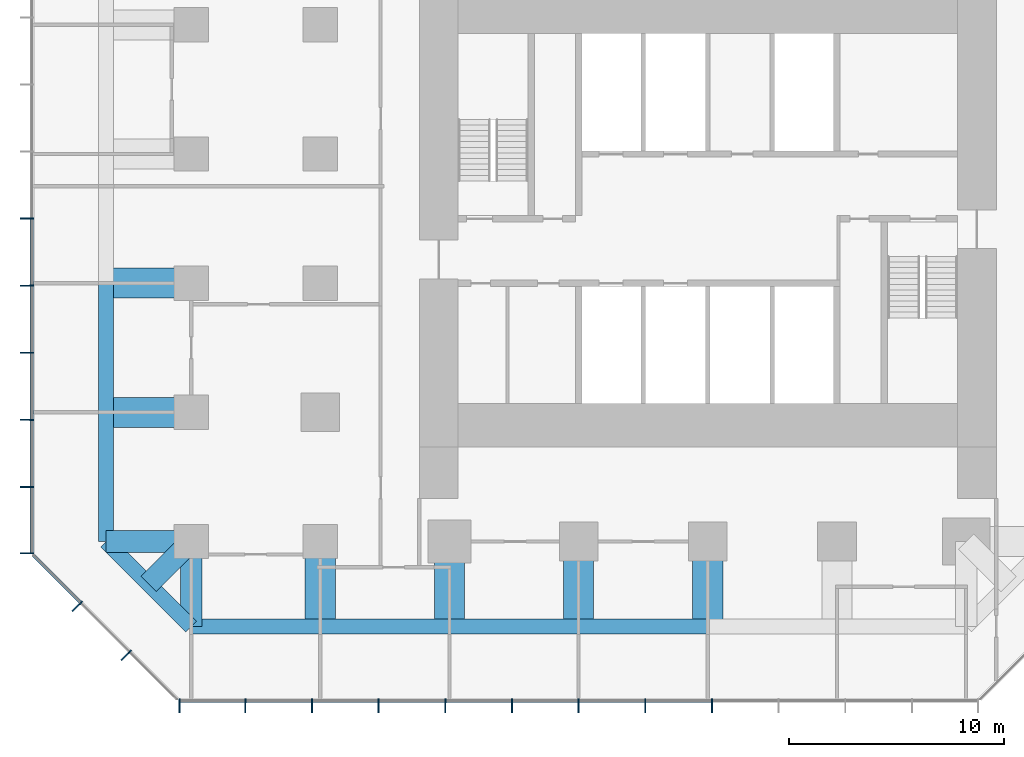
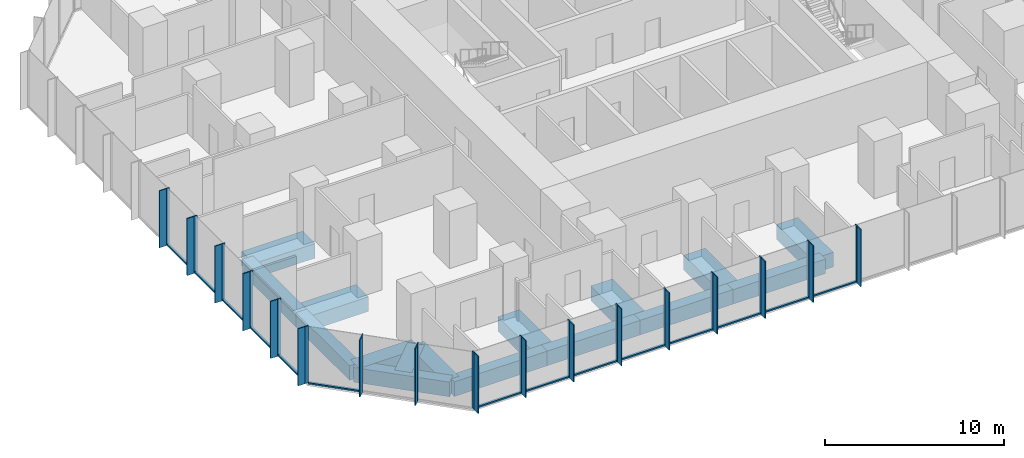
# One storey, part 2 of 11: 48 members, 16 beams, 3 elements without a shape of their own.
"""IFC4 building model written with IfcOpenShell, lengths in metres."""

from ifc_helpers import new_model, si_unit, direction, frame, origin, origin_2d, place, context, subcontext, project, spatial, rectangle, extrude, material, layer, layer_set, material_profile, profile_set, type_object, element, aggregate, save


model = new_model("IFC4")

# Units and contexts
model_context = context("Model", 3, precision=1e-05, world=origin(), true_north=direction((0.0, 1.0)))
body_context = subcontext(model_context, "Body", "Model", "MODEL_VIEW")
ifc_project = project(units=[si_unit("LENGTHUNIT", "METRE"), si_unit("AREAUNIT", "SQUARE_METRE"), si_unit("VOLUMEUNIT", "CUBIC_METRE"), si_unit("PLANEANGLEUNIT", "RADIAN"), si_unit("MASSUNIT", "GRAM", prefix="KILO")], contexts=[model_context])

# Site, building, storey
site_placement = place(None, origin())
site = spatial("IfcSite", under=ifc_project, at=site_placement, CompositionType="ELEMENT")
building_placement = place(site_placement, origin())
building = spatial("IfcBuilding", under=site, at=building_placement, Name="Highveld Stack Headquarters", CompositionType="ELEMENT")
storey_placement = place(building_placement, frame((0.0, 0.0, 125.0)))
storey = spatial("IfcBuildingStorey", under=building, at=storey_placement, Name="L30", CompositionType="ELEMENT", Elevation=125.0)

# Beams
ifc_material_1 = material(Name="Concrete C60/75", Category="concrete")
ifc_material_profile_1 = material_profile(ifc_material_1, rectangle(XDim=1.0, YDim=1.0, at=origin_2d()), Name="RC 1000x1000")
ifc_profile_set_1 = profile_set([ifc_material_profile_1], Name="Concrete C60/75")
beam_type_1 = type_object("IfcBeamType", Name="CANTILEVER RIB RC 1000x1000", PredefinedType="USERDEFINED", material=ifc_profile_set_1)
for number, where, z_axis, x_axis, name in (
    (1, (-18.0, -12.0, -0.75), (-1.0, 0.0, 0.0), (0.0, -1.0, 0.0), "Cantilever rib 3/C L30"),
    (2, (-18.0, -12.0, -0.75), (0.0, -1.0, 0.0), (1.0, 0.0, 0.0), "Cantilever rib 3/C L30"),
):
    element("IfcBeam", number, at=place(storey_placement, frame(where, z_axis=z_axis, x_axis=x_axis)), inside=storey, type_object=beam_type_1, Name=name, ObjectType="CANTILEVER RIB", PredefinedType="USERDEFINED", context=body_context, shape_type="SweptSolid", body=[
        extrude(rectangle(XDim=1.0, YDim=1.0, at=origin_2d()), origin(), (0.0, 0.0, 1.0), 3.949951171875),
    ])
beam_1_placement = place(storey_placement, frame((-18.0, -12.0, -0.75), z_axis=(-0.707106781187, -0.707106781187, 0.0), x_axis=(0.707106781187, -0.707106781187, 0.0)))
element("IfcBeam", 3, at=beam_1_placement, inside=storey, type_object=beam_type_1, Name="Cantilever rib 3/C L30", ObjectType="CANTILEVER RIB", PredefinedType="USERDEFINED", context=body_context, shape_type="SweptSolid", body=[
    extrude(rectangle(XDim=1.0, YDim=1.0, at=origin_2d()), origin(), (0.0, 0.0, 1.0), 2.793212890625),
])
ifc_material_2 = material(Name="Concrete C60/75", Category="concrete")
ifc_material_profile_2 = material_profile(ifc_material_2, rectangle(XDim=1.39990234375, YDim=1.0, at=origin_2d()), Name="RC 1400x1000")
ifc_profile_set_2 = profile_set([ifc_material_profile_2], Name="Concrete C60/75")
beam_type_2 = type_object("IfcBeamType", Name="CANTILEVER RIB RC 1400x1000", PredefinedType="USERDEFINED", material=ifc_profile_set_2)
for number, where, z_axis, x_axis, name in (
    (4, (-18.0, -6.0, -0.75), (-1.0, 0.0, 0.0), (0.0, -1.0, 0.0), "Cantilever rib 3/D L30"),
    (5, (-18.0, 0.0, -0.75), (-1.0, 0.0, 0.0), (0.0, -1.0, 0.0), "Cantilever rib 3/E L30"),
    (6, (-12.0, -12.0, -0.75), (0.0, -1.0, 0.0), (1.0, 0.0, 0.0), "Cantilever rib 4/C L30"),
    (7, (-6.0, -12.0, -0.75), (0.0, -1.0, 0.0), (1.0, 0.0, 0.0), "Cantilever rib 5/C L30"),
    (8, (0.0, -12.0, -0.75), (0.0, -1.0, 0.0), (1.0, 0.0, 0.0), "Cantilever rib 6/C L30"),
    (9, (6.0, -12.0, -0.75), (0.0, -1.0, 0.0), (1.0, 0.0, 0.0), "Cantilever rib 7/C L30"),
):
    element("IfcBeam", number, at=place(storey_placement, frame(where, z_axis=z_axis, x_axis=x_axis)), inside=storey, type_object=beam_type_2, Name=name, ObjectType="CANTILEVER RIB", PredefinedType="USERDEFINED", context=body_context, shape_type="SweptSolid", body=[
        extrude(rectangle(XDim=1.39990234375, YDim=1.0, at=origin_2d()), origin(), (0.0, 0.0, 1.0), 3.949951171875),
    ])

# Curtain wall, members
ifc_material_3 = material(Name="Aluminium bronze anodised", Category="aluminium")
ifc_layer_1 = layer(ifc_material_3, 0.199951171875)
ifc_layer_set_1 = layer_set([ifc_layer_1], Name="Aluminium bronze anodised")
curtain_wall_type_1 = type_object("IfcCurtainWallType", Name="CW1 TOWER UNITISED CURTAIN WALL", PredefinedType="NOTDEFINED", material=ifc_layer_set_1)
curtain_wall_1_placement = place(storey_placement, origin())
curtain_wall_1 = element("IfcCurtainWall", 10, at=curtain_wall_1_placement, inside=storey, type_object=curtain_wall_type_1, Name="Curtain wall CW1 L30 S", PredefinedType="NOTDEFINED")
ifc_material_4 = material(Name="Aluminium bronze anodised", Category="aluminium")
ifc_material_profile_3 = material_profile(ifc_material_4, rectangle(XDim=0.449951171875, YDim=0.06005859375, at=origin_2d()), Name="FIN 450x60")
ifc_profile_set_3 = profile_set([ifc_material_profile_3], Name="Aluminium bronze anodised")
member_type_1 = type_object("IfcMemberType", Name="CW1 BRONZE FIN 450x60", PredefinedType="USERDEFINED", material=ifc_profile_set_3)
member_1_placement = place(storey_placement, frame((-18.54736328125, -19.72509765625, 0.0), z_axis=(0.0, 0.0, 1.0), x_axis=(0.0, 1.0, 0.0)))
member_1 = element("IfcMember", 11, at=member_1_placement, type_object=member_type_1, Name="CW1 fin L30 1", ObjectType="FIN", PredefinedType="USERDEFINED", context=body_context, shape_type="SweptSolid", body=[
    extrude(rectangle(XDim=0.449951171875, YDim=0.06005859375, at=origin_2d()), origin(), (0.0, 0.0, 1.0), 3.89990234375),
])
member_2_placement = place(storey_placement, frame((-15.483154296875, -19.72509765625, 0.0), z_axis=(0.0, 0.0, 1.0), x_axis=(0.0, 1.0, 0.0)))
member_2 = element("IfcMember", 12, at=member_2_placement, type_object=member_type_1, Name="CW1 fin L30 2", ObjectType="FIN", PredefinedType="USERDEFINED", context=body_context, shape_type="SweptSolid", body=[
    extrude(rectangle(XDim=0.449951171875, YDim=0.06005859375, at=origin_2d()), origin(), (0.0, 0.0, 1.0), 3.89990234375),
])
member_3_placement = place(storey_placement, frame((-12.38671875, -19.72509765625, 0.0), z_axis=(0.0, 0.0, 1.0), x_axis=(0.0, 1.0, 0.0)))
member_3 = element("IfcMember", 13, at=member_3_placement, type_object=member_type_1, Name="CW1 fin L30 3", ObjectType="FIN", PredefinedType="USERDEFINED", context=body_context, shape_type="SweptSolid", body=[
    extrude(rectangle(XDim=0.449951171875, YDim=0.06005859375, at=origin_2d()), origin(), (0.0, 0.0, 1.0), 3.89990234375),
])
member_4_placement = place(storey_placement, frame((-9.289794921875, -19.72509765625, 0.0), z_axis=(0.0, 0.0, 1.0), x_axis=(0.0, 1.0, 0.0)))
member_4 = element("IfcMember", 14, at=member_4_placement, type_object=member_type_1, Name="CW1 fin L30 4", ObjectType="FIN", PredefinedType="USERDEFINED", context=body_context, shape_type="SweptSolid", body=[
    extrude(rectangle(XDim=0.449951171875, YDim=0.06005859375, at=origin_2d()), origin(), (0.0, 0.0, 1.0), 3.89990234375),
])
member_5_placement = place(storey_placement, frame((-6.193359375, -19.72509765625, 0.0), z_axis=(0.0, 0.0, 1.0), x_axis=(0.0, 1.0, 0.0)))
member_5 = element("IfcMember", 15, at=member_5_placement, type_object=member_type_1, Name="CW1 fin L30 5", ObjectType="FIN", PredefinedType="USERDEFINED", context=body_context, shape_type="SweptSolid", body=[
    extrude(rectangle(XDim=0.449951171875, YDim=0.06005859375, at=origin_2d()), origin(), (0.0, 0.0, 1.0), 3.89990234375),
])
member_6_placement = place(storey_placement, frame((-3.0966796875, -19.72509765625, 0.0), z_axis=(0.0, 0.0, 1.0), x_axis=(0.0, 1.0, 0.0)))
member_6 = element("IfcMember", 16, at=member_6_placement, type_object=member_type_1, Name="CW1 fin L30 6", ObjectType="FIN", PredefinedType="USERDEFINED", context=body_context, shape_type="SweptSolid", body=[
    extrude(rectangle(XDim=0.449951171875, YDim=0.06005859375, at=origin_2d()), origin(), (0.0, 0.0, 1.0), 3.89990234375),
])
member_7_placement = place(storey_placement, frame((0.0, -19.72509765625, 0.0), z_axis=(0.0, 0.0, 1.0), x_axis=(0.0, 1.0, 0.0)))
member_7 = element("IfcMember", 17, at=member_7_placement, type_object=member_type_1, Name="CW1 fin L30 7", ObjectType="FIN", PredefinedType="USERDEFINED", context=body_context, shape_type="SweptSolid", body=[
    extrude(rectangle(XDim=0.449951171875, YDim=0.06005859375, at=origin_2d()), origin(), (0.0, 0.0, 1.0), 3.89990234375),
])
member_8_placement = place(storey_placement, frame((3.0966796875, -19.72509765625, 0.0), z_axis=(0.0, 0.0, 1.0), x_axis=(0.0, 1.0, 0.0)))
member_8 = element("IfcMember", 18, at=member_8_placement, type_object=member_type_1, Name="CW1 fin L30 8", ObjectType="FIN", PredefinedType="USERDEFINED", context=body_context, shape_type="SweptSolid", body=[
    extrude(rectangle(XDim=0.449951171875, YDim=0.06005859375, at=origin_2d()), origin(), (0.0, 0.0, 1.0), 3.89990234375),
])
member_9_placement = place(storey_placement, frame((6.193359375, -19.72509765625, 0.0), z_axis=(0.0, 0.0, 1.0), x_axis=(0.0, 1.0, 0.0)))
member_9 = element("IfcMember", 19, at=member_9_placement, type_object=member_type_1, Name="CW1 fin L30 9", ObjectType="FIN", PredefinedType="USERDEFINED", context=body_context, shape_type="SweptSolid", body=[
    extrude(rectangle(XDim=0.449951171875, YDim=0.06005859375, at=origin_2d()), origin(), (0.0, 0.0, 1.0), 3.89990234375),
])

curtain_wall_2_placement = place(storey_placement, origin())
curtain_wall_2 = element("IfcCurtainWall", 20, at=curtain_wall_2_placement, inside=storey, type_object=curtain_wall_type_1, Name="Curtain wall CW1 L30 W", PredefinedType="NOTDEFINED")
member_10_placement = place(storey_placement, frame((-25.72509765625, 3.0, 0.0), z_axis=(0.0, 0.0, 1.0), x_axis=(1.0, 0.0, 0.0)))
member_10 = element("IfcMember", 21, at=member_10_placement, type_object=member_type_1, Name="CW1 fin L30 6", ObjectType="FIN", PredefinedType="USERDEFINED", context=body_context, shape_type="SweptSolid", body=[
    extrude(rectangle(XDim=0.449951171875, YDim=0.06005859375, at=origin_2d()), origin(), (0.0, 0.0, 1.0), 3.89990234375),
])
member_11_placement = place(storey_placement, frame((-25.72509765625, -0.115966796875, 0.0), z_axis=(0.0, 0.0, 1.0), x_axis=(1.0, 0.0, 0.0)))
member_11 = element("IfcMember", 22, at=member_11_placement, type_object=member_type_1, Name="CW1 fin L30 7", ObjectType="FIN", PredefinedType="USERDEFINED", context=body_context, shape_type="SweptSolid", body=[
    extrude(rectangle(XDim=0.449951171875, YDim=0.06005859375, at=origin_2d()), origin(), (0.0, 0.0, 1.0), 3.89990234375),
])
member_12_placement = place(storey_placement, frame((-25.72509765625, -3.23193359375, 0.0), z_axis=(0.0, 0.0, 1.0), x_axis=(1.0, 0.0, 0.0)))
member_12 = element("IfcMember", 23, at=member_12_placement, type_object=member_type_1, Name="CW1 fin L30 8", ObjectType="FIN", PredefinedType="USERDEFINED", context=body_context, shape_type="SweptSolid", body=[
    extrude(rectangle(XDim=0.449951171875, YDim=0.06005859375, at=origin_2d()), origin(), (0.0, 0.0, 1.0), 3.89990234375),
])
member_13_placement = place(storey_placement, frame((-25.72509765625, -6.347900390625, 0.0), z_axis=(0.0, 0.0, 1.0), x_axis=(1.0, 0.0, 0.0)))
member_13 = element("IfcMember", 24, at=member_13_placement, type_object=member_type_1, Name="CW1 fin L30 9", ObjectType="FIN", PredefinedType="USERDEFINED", context=body_context, shape_type="SweptSolid", body=[
    extrude(rectangle(XDim=0.449951171875, YDim=0.06005859375, at=origin_2d()), origin(), (0.0, 0.0, 1.0), 3.89990234375),
])
member_14_placement = place(storey_placement, frame((-25.72509765625, -9.4638671875, 0.0), z_axis=(0.0, 0.0, 1.0), x_axis=(1.0, 0.0, 0.0)))
member_14 = element("IfcMember", 25, at=member_14_placement, type_object=member_type_1, Name="CW1 fin L30 10", ObjectType="FIN", PredefinedType="USERDEFINED", context=body_context, shape_type="SweptSolid", body=[
    extrude(rectangle(XDim=0.449951171875, YDim=0.06005859375, at=origin_2d()), origin(), (0.0, 0.0, 1.0), 3.89990234375),
])
member_15_placement = place(storey_placement, frame((-25.72509765625, -12.54736328125, 0.0), z_axis=(0.0, 0.0, 1.0), x_axis=(1.0, 0.0, 0.0)))
member_15 = element("IfcMember", 26, at=member_15_placement, type_object=member_type_1, Name="CW1 fin L30 11", ObjectType="FIN", PredefinedType="USERDEFINED", context=body_context, shape_type="SweptSolid", body=[
    extrude(rectangle(XDim=0.449951171875, YDim=0.06005859375, at=origin_2d()), origin(), (0.0, 0.0, 1.0), 3.89990234375),
])

# Member
ifc_material_5 = material(Name="Aluminium bronze anodised", Category="aluminium")
ifc_material_profile_4 = material_profile(ifc_material_5, rectangle(XDim=0.199951171875, YDim=0.06494140625, at=origin_2d()), Name="CW1 MULLION 65x200")
ifc_profile_set_4 = profile_set([ifc_material_profile_4], Name="Aluminium bronze anodised")
member_type_2 = type_object("IfcMemberType", Name="CW1 MULLION 65x200", PredefinedType="MULLION", material=ifc_profile_set_4)
member_16_placement = place(storey_placement, frame((-18.54736328125, -19.39990234375, 0.0), z_axis=(0.0, 0.0, 1.0), x_axis=(0.0, 1.0, 0.0)))
member_16 = element("IfcMember", 27, at=member_16_placement, type_object=member_type_2, Name="CW1 mullion L30 1", PredefinedType="MULLION", context=body_context, shape_type="SweptSolid", body=[
    extrude(rectangle(XDim=0.199951171875, YDim=0.06494140625, at=origin_2d()), origin(), (0.0, 0.0, 1.0), 3.89990234375),
])

member_17_placement = place(storey_placement, frame((-15.483154296875, -19.39990234375, 0.0), z_axis=(0.0, 0.0, 1.0), x_axis=(0.0, 1.0, 0.0)))
member_17 = element("IfcMember", 28, at=member_17_placement, type_object=member_type_2, Name="CW1 mullion L30 2", PredefinedType="MULLION", context=body_context, shape_type="SweptSolid", body=[
    extrude(rectangle(XDim=0.199951171875, YDim=0.06494140625, at=origin_2d()), origin(), (0.0, 0.0, 1.0), 3.89990234375),
])

member_18_placement = place(storey_placement, frame((-12.38671875, -19.39990234375, 0.0), z_axis=(0.0, 0.0, 1.0), x_axis=(0.0, 1.0, 0.0)))
member_18 = element("IfcMember", 29, at=member_18_placement, type_object=member_type_2, Name="CW1 mullion L30 3", PredefinedType="MULLION", context=body_context, shape_type="SweptSolid", body=[
    extrude(rectangle(XDim=0.199951171875, YDim=0.06494140625, at=origin_2d()), origin(), (0.0, 0.0, 1.0), 3.89990234375),
])

member_19_placement = place(storey_placement, frame((-9.289794921875, -19.39990234375, 0.0), z_axis=(0.0, 0.0, 1.0), x_axis=(0.0, 1.0, 0.0)))
member_19 = element("IfcMember", 30, at=member_19_placement, type_object=member_type_2, Name="CW1 mullion L30 4", PredefinedType="MULLION", context=body_context, shape_type="SweptSolid", body=[
    extrude(rectangle(XDim=0.199951171875, YDim=0.06494140625, at=origin_2d()), origin(), (0.0, 0.0, 1.0), 3.89990234375),
])

member_20_placement = place(storey_placement, frame((-6.193359375, -19.39990234375, 0.0), z_axis=(0.0, 0.0, 1.0), x_axis=(0.0, 1.0, 0.0)))
member_20 = element("IfcMember", 31, at=member_20_placement, type_object=member_type_2, Name="CW1 mullion L30 5", PredefinedType="MULLION", context=body_context, shape_type="SweptSolid", body=[
    extrude(rectangle(XDim=0.199951171875, YDim=0.06494140625, at=origin_2d()), origin(), (0.0, 0.0, 1.0), 3.89990234375),
])

member_21_placement = place(storey_placement, frame((-3.0966796875, -19.39990234375, 0.0), z_axis=(0.0, 0.0, 1.0), x_axis=(0.0, 1.0, 0.0)))
member_21 = element("IfcMember", 32, at=member_21_placement, type_object=member_type_2, Name="CW1 mullion L30 6", PredefinedType="MULLION", context=body_context, shape_type="SweptSolid", body=[
    extrude(rectangle(XDim=0.199951171875, YDim=0.06494140625, at=origin_2d()), origin(), (0.0, 0.0, 1.0), 3.89990234375),
])

member_22_placement = place(storey_placement, frame((0.0, -19.39990234375, 0.0), z_axis=(0.0, 0.0, 1.0), x_axis=(0.0, 1.0, 0.0)))
member_22 = element("IfcMember", 33, at=member_22_placement, type_object=member_type_2, Name="CW1 mullion L30 7", PredefinedType="MULLION", context=body_context, shape_type="SweptSolid", body=[
    extrude(rectangle(XDim=0.199951171875, YDim=0.06494140625, at=origin_2d()), origin(), (0.0, 0.0, 1.0), 3.89990234375),
])

member_23_placement = place(storey_placement, frame((3.0966796875, -19.39990234375, 0.0), z_axis=(0.0, 0.0, 1.0), x_axis=(0.0, 1.0, 0.0)))
member_23 = element("IfcMember", 34, at=member_23_placement, type_object=member_type_2, Name="CW1 mullion L30 8", PredefinedType="MULLION", context=body_context, shape_type="SweptSolid", body=[
    extrude(rectangle(XDim=0.199951171875, YDim=0.06494140625, at=origin_2d()), origin(), (0.0, 0.0, 1.0), 3.89990234375),
])

member_24_placement = place(storey_placement, frame((6.193359375, -19.39990234375, 0.0), z_axis=(0.0, 0.0, 1.0), x_axis=(0.0, 1.0, 0.0)))
member_24 = element("IfcMember", 35, at=member_24_placement, type_object=member_type_2, Name="CW1 mullion L30 9", PredefinedType="MULLION", context=body_context, shape_type="SweptSolid", body=[
    extrude(rectangle(XDim=0.199951171875, YDim=0.06494140625, at=origin_2d()), origin(), (0.0, 0.0, 1.0), 3.89990234375),
])

member_25_placement = place(storey_placement, frame((-25.39990234375, 3.0, 0.0), z_axis=(0.0, 0.0, 1.0), x_axis=(1.0, 0.0, 0.0)))
member_25 = element("IfcMember", 36, at=member_25_placement, type_object=member_type_2, Name="CW1 mullion L30 6", PredefinedType="MULLION", context=body_context, shape_type="SweptSolid", body=[
    extrude(rectangle(XDim=0.199951171875, YDim=0.06494140625, at=origin_2d()), origin(), (0.0, 0.0, 1.0), 3.89990234375),
])

member_26_placement = place(storey_placement, frame((-25.39990234375, -0.115966796875, 0.0), z_axis=(0.0, 0.0, 1.0), x_axis=(1.0, 0.0, 0.0)))
member_26 = element("IfcMember", 37, at=member_26_placement, type_object=member_type_2, Name="CW1 mullion L30 7", PredefinedType="MULLION", context=body_context, shape_type="SweptSolid", body=[
    extrude(rectangle(XDim=0.199951171875, YDim=0.06494140625, at=origin_2d()), origin(), (0.0, 0.0, 1.0), 3.89990234375),
])

member_27_placement = place(storey_placement, frame((-25.39990234375, -3.23193359375, 0.0), z_axis=(0.0, 0.0, 1.0), x_axis=(1.0, 0.0, 0.0)))
member_27 = element("IfcMember", 38, at=member_27_placement, type_object=member_type_2, Name="CW1 mullion L30 8", PredefinedType="MULLION", context=body_context, shape_type="SweptSolid", body=[
    extrude(rectangle(XDim=0.199951171875, YDim=0.06494140625, at=origin_2d()), origin(), (0.0, 0.0, 1.0), 3.89990234375),
])

member_28_placement = place(storey_placement, frame((-25.39990234375, -6.347900390625, 0.0), z_axis=(0.0, 0.0, 1.0), x_axis=(1.0, 0.0, 0.0)))
member_28 = element("IfcMember", 39, at=member_28_placement, type_object=member_type_2, Name="CW1 mullion L30 9", PredefinedType="MULLION", context=body_context, shape_type="SweptSolid", body=[
    extrude(rectangle(XDim=0.199951171875, YDim=0.06494140625, at=origin_2d()), origin(), (0.0, 0.0, 1.0), 3.89990234375),
])

member_29_placement = place(storey_placement, frame((-25.39990234375, -9.4638671875, 0.0), z_axis=(0.0, 0.0, 1.0), x_axis=(1.0, 0.0, 0.0)))
member_29 = element("IfcMember", 40, at=member_29_placement, type_object=member_type_2, Name="CW1 mullion L30 10", PredefinedType="MULLION", context=body_context, shape_type="SweptSolid", body=[
    extrude(rectangle(XDim=0.199951171875, YDim=0.06494140625, at=origin_2d()), origin(), (0.0, 0.0, 1.0), 3.89990234375),
])

member_30_placement = place(storey_placement, frame((-25.39990234375, -12.54736328125, 0.0), z_axis=(0.0, 0.0, 1.0), x_axis=(1.0, 0.0, 0.0)))
member_30 = element("IfcMember", 41, at=member_30_placement, type_object=member_type_2, Name="CW1 mullion L30 11", PredefinedType="MULLION", context=body_context, shape_type="SweptSolid", body=[
    extrude(rectangle(XDim=0.199951171875, YDim=0.06494140625, at=origin_2d()), origin(), (0.0, 0.0, 1.0), 3.89990234375),
])

ifc_material_6 = material(Name="Aluminium bronze anodised", Category="aluminium")
ifc_material_profile_5 = material_profile(ifc_material_6, rectangle(XDim=0.14990234375, YDim=0.10009765625, at=origin_2d()), Name="CW1 TRANSOM 150x100")
ifc_profile_set_5 = profile_set([ifc_material_profile_5], Name="Aluminium bronze anodised")
member_type_3 = type_object("IfcMemberType", Name="CW1 STACK TRANSOM 150x100", PredefinedType="USERDEFINED", material=ifc_profile_set_5)
member_31_placement = place(storey_placement, frame((-18.514892578125, -19.39990234375, 0.050048828125), z_axis=(1.0, 0.0, 0.0), x_axis=(0.0, 1.0, 0.0)))
member_31 = element("IfcMember", 42, at=member_31_placement, type_object=member_type_3, Name="CW1 transom L30 1.1", ObjectType="TRANSOM", PredefinedType="USERDEFINED", context=body_context, shape_type="SweptSolid", body=[
    extrude(rectangle(XDim=0.14990234375, YDim=0.10009765625, at=origin_2d()), origin(), (0.0, 0.0, 1.0), 2.999267578125),
])

member_32_placement = place(storey_placement, frame((-15.45068359375, -19.39990234375, 0.050048828125), z_axis=(1.0, 0.0, 0.0), x_axis=(0.0, 1.0, 0.0)))
member_32 = element("IfcMember", 43, at=member_32_placement, type_object=member_type_3, Name="CW1 transom L30 2.1", ObjectType="TRANSOM", PredefinedType="USERDEFINED", context=body_context, shape_type="SweptSolid", body=[
    extrude(rectangle(XDim=0.14990234375, YDim=0.10009765625, at=origin_2d()), origin(), (0.0, 0.0, 1.0), 3.031494140625),
])

member_33_placement = place(storey_placement, frame((-12.35400390625, -19.39990234375, 0.050048828125), z_axis=(1.0, 0.0, 0.0), x_axis=(0.0, 1.0, 0.0)))
member_33 = element("IfcMember", 44, at=member_33_placement, type_object=member_type_3, Name="CW1 transom L30 3.1", ObjectType="TRANSOM", PredefinedType="USERDEFINED", context=body_context, shape_type="SweptSolid", body=[
    extrude(rectangle(XDim=0.14990234375, YDim=0.10009765625, at=origin_2d()), origin(), (0.0, 0.0, 1.0), 3.031494140625),
])

member_34_placement = place(storey_placement, frame((-9.25732421875, -19.39990234375, 0.050048828125), z_axis=(1.0, 0.0, 0.0), x_axis=(0.0, 1.0, 0.0)))
member_34 = element("IfcMember", 45, at=member_34_placement, type_object=member_type_3, Name="CW1 transom L30 4.1", ObjectType="TRANSOM", PredefinedType="USERDEFINED", context=body_context, shape_type="SweptSolid", body=[
    extrude(rectangle(XDim=0.14990234375, YDim=0.10009765625, at=origin_2d()), origin(), (0.0, 0.0, 1.0), 3.031494140625),
])

member_35_placement = place(storey_placement, frame((-6.160888671875, -19.39990234375, 0.050048828125), z_axis=(1.0, 0.0, 0.0), x_axis=(0.0, 1.0, 0.0)))
member_35 = element("IfcMember", 46, at=member_35_placement, type_object=member_type_3, Name="CW1 transom L30 5.1", ObjectType="TRANSOM", PredefinedType="USERDEFINED", context=body_context, shape_type="SweptSolid", body=[
    extrude(rectangle(XDim=0.14990234375, YDim=0.10009765625, at=origin_2d()), origin(), (0.0, 0.0, 1.0), 3.03173828125),
])

member_36_placement = place(storey_placement, frame((-3.064208984375, -19.39990234375, 0.050048828125), z_axis=(1.0, 0.0, 0.0), x_axis=(0.0, 1.0, 0.0)))
member_36 = element("IfcMember", 47, at=member_36_placement, type_object=member_type_3, Name="CW1 transom L30 6.1", ObjectType="TRANSOM", PredefinedType="USERDEFINED", context=body_context, shape_type="SweptSolid", body=[
    extrude(rectangle(XDim=0.14990234375, YDim=0.10009765625, at=origin_2d()), origin(), (0.0, 0.0, 1.0), 3.03173828125),
])

member_37_placement = place(storey_placement, frame((0.032470703125, -19.39990234375, 0.050048828125), z_axis=(1.0, 0.0, 0.0), x_axis=(0.0, 1.0, 0.0)))
member_37 = element("IfcMember", 48, at=member_37_placement, type_object=member_type_3, Name="CW1 transom L30 7.1", ObjectType="TRANSOM", PredefinedType="USERDEFINED", context=body_context, shape_type="SweptSolid", body=[
    extrude(rectangle(XDim=0.14990234375, YDim=0.10009765625, at=origin_2d()), origin(), (0.0, 0.0, 1.0), 3.03173828125),
])

member_38_placement = place(storey_placement, frame((3.129150390625, -19.39990234375, 0.050048828125), z_axis=(1.0, 0.0, 0.0), x_axis=(0.0, 1.0, 0.0)))
member_38 = element("IfcMember", 49, at=member_38_placement, type_object=member_type_3, Name="CW1 transom L30 8.1", ObjectType="TRANSOM", PredefinedType="USERDEFINED", context=body_context, shape_type="SweptSolid", body=[
    extrude(rectangle(XDim=0.14990234375, YDim=0.10009765625, at=origin_2d()), origin(), (0.0, 0.0, 1.0), 3.03173828125),
])

aggregate(curtain_wall_1, [member_16, member_1, member_17, member_2, member_18, member_3, member_19, member_4, member_20, member_5, member_21, member_6, member_22, member_7, member_23, member_8, member_24, member_9, member_31, member_32, member_33, member_34, member_35, member_36, member_37, member_38])

member_39_placement = place(storey_placement, frame((-25.39990234375, 2.967529296875, 0.050048828125), z_axis=(0.0, -1.0, 0.0), x_axis=(1.0, 0.0, 0.0)))
member_39 = element("IfcMember", 50, at=member_39_placement, type_object=member_type_3, Name="CW1 transom L30 6.1", ObjectType="TRANSOM", PredefinedType="USERDEFINED", context=body_context, shape_type="SweptSolid", body=[
    extrude(rectangle(XDim=0.14990234375, YDim=0.10009765625, at=origin_2d()), origin(), (0.0, 0.0, 1.0), 3.051025390625),
])

member_40_placement = place(storey_placement, frame((-25.39990234375, -0.1484375, 0.050048828125), z_axis=(0.0, -1.0, 0.0), x_axis=(1.0, 0.0, 0.0)))
member_40 = element("IfcMember", 51, at=member_40_placement, type_object=member_type_3, Name="CW1 transom L30 7.1", ObjectType="TRANSOM", PredefinedType="USERDEFINED", context=body_context, shape_type="SweptSolid", body=[
    extrude(rectangle(XDim=0.14990234375, YDim=0.10009765625, at=origin_2d()), origin(), (0.0, 0.0, 1.0), 3.051025390625),
])

member_41_placement = place(storey_placement, frame((-25.39990234375, -3.264404296875, 0.050048828125), z_axis=(0.0, -1.0, 0.0), x_axis=(1.0, 0.0, 0.0)))
member_41 = element("IfcMember", 52, at=member_41_placement, type_object=member_type_3, Name="CW1 transom L30 8.1", ObjectType="TRANSOM", PredefinedType="USERDEFINED", context=body_context, shape_type="SweptSolid", body=[
    extrude(rectangle(XDim=0.14990234375, YDim=0.10009765625, at=origin_2d()), origin(), (0.0, 0.0, 1.0), 3.051025390625),
])

member_42_placement = place(storey_placement, frame((-25.39990234375, -6.38037109375, 0.050048828125), z_axis=(0.0, -1.0, 0.0), x_axis=(1.0, 0.0, 0.0)))
member_42 = element("IfcMember", 53, at=member_42_placement, type_object=member_type_3, Name="CW1 transom L30 9.1", ObjectType="TRANSOM", PredefinedType="USERDEFINED", context=body_context, shape_type="SweptSolid", body=[
    extrude(rectangle(XDim=0.14990234375, YDim=0.10009765625, at=origin_2d()), origin(), (0.0, 0.0, 1.0), 3.051025390625),
])

member_43_placement = place(storey_placement, frame((-25.39990234375, -9.496337890625, 0.050048828125), z_axis=(0.0, -1.0, 0.0), x_axis=(1.0, 0.0, 0.0)))
member_43 = element("IfcMember", 54, at=member_43_placement, type_object=member_type_3, Name="CW1 transom L30 10.1", ObjectType="TRANSOM", PredefinedType="USERDEFINED", context=body_context, shape_type="SweptSolid", body=[
    extrude(rectangle(XDim=0.14990234375, YDim=0.10009765625, at=origin_2d()), origin(), (0.0, 0.0, 1.0), 3.0185546875),
])

aggregate(curtain_wall_2, [member_25, member_10, member_26, member_11, member_27, member_12, member_28, member_13, member_29, member_14, member_30, member_15, member_39, member_40, member_41, member_42, member_43])

# Curtain wall, members
ifc_material_7 = material(Name="Aluminium bronze anodised", Category="aluminium")
ifc_layer_2 = layer(ifc_material_7, 0.199951171875)
ifc_layer_set_2 = layer_set([ifc_layer_2], Name="Aluminium bronze anodised")
curtain_wall_type_2 = type_object("IfcCurtainWallType", Name="CW2 TOWER CHAMFER UNITISED CURTAIN WALL", PredefinedType="NOTDEFINED", material=ifc_layer_set_2)
curtain_wall_3_placement = place(storey_placement, origin())
curtain_wall_3 = element("IfcCurtainWall", 55, at=curtain_wall_3_placement, inside=storey, type_object=curtain_wall_type_2, Name="Curtain wall CW2 L30 SW", PredefinedType="NOTDEFINED")
ifc_material_8 = material(Name="Aluminium bronze anodised", Category="aluminium")
ifc_material_profile_6 = material_profile(ifc_material_8, rectangle(XDim=0.449951171875, YDim=0.06005859375, at=origin_2d()), Name="FIN 450x60")
ifc_profile_set_6 = profile_set([ifc_material_profile_6], Name="Aluminium bronze anodised")
member_type_4 = type_object("IfcMemberType", Name="CW2 BRONZE FIN 450x60", PredefinedType="USERDEFINED", material=ifc_profile_set_6)
member_44_placement = place(storey_placement, frame((-23.3564453125, -15.0830078125, 0.0), z_axis=(0.0, 0.0, 1.0), x_axis=(0.707106781187, 0.707106781187, 0.0)))
member_44 = element("IfcMember", 56, at=member_44_placement, type_object=member_type_4, Name="CW2 fin L30 1", ObjectType="FIN", PredefinedType="USERDEFINED", context=body_context, shape_type="SweptSolid", body=[
    extrude(rectangle(XDim=0.449951171875, YDim=0.06005859375, at=origin_2d()), origin(), (0.0, 0.0, 1.0), 3.89990234375),
])
member_45_placement = place(storey_placement, frame((-21.0830078125, -17.3564453125, 0.0), z_axis=(0.0, 0.0, 1.0), x_axis=(0.707106781187, 0.707106781187, 0.0)))
member_45 = element("IfcMember", 57, at=member_45_placement, type_object=member_type_4, Name="CW2 fin L30 2", ObjectType="FIN", PredefinedType="USERDEFINED", context=body_context, shape_type="SweptSolid", body=[
    extrude(rectangle(XDim=0.449951171875, YDim=0.06005859375, at=origin_2d()), origin(), (0.0, 0.0, 1.0), 3.89990234375),
])
ifc_material_9 = material(Name="Aluminium bronze anodised", Category="aluminium")
ifc_material_profile_7 = material_profile(ifc_material_9, rectangle(XDim=0.199951171875, YDim=0.06494140625, at=origin_2d()), Name="CW2 MULLION 65x200")
ifc_profile_set_7 = profile_set([ifc_material_profile_7], Name="Aluminium bronze anodised")
member_type_5 = type_object("IfcMemberType", Name="CW2 MULLION 65x200", PredefinedType="MULLION", material=ifc_profile_set_7)
member_46_placement = place(storey_placement, frame((-23.126708984375, -14.853271484375, 0.0), z_axis=(0.0, 0.0, 1.0), x_axis=(0.707106781187, 0.707106781187, 0.0)))
member_46 = element("IfcMember", 58, at=member_46_placement, type_object=member_type_5, Name="CW2 mullion L30 1", PredefinedType="MULLION", context=body_context, shape_type="SweptSolid", body=[
    extrude(rectangle(XDim=0.199951171875, YDim=0.06494140625, at=origin_2d()), origin(), (0.0, 0.0, 1.0), 3.89990234375),
])
member_47_placement = place(storey_placement, frame((-20.853271484375, -17.126708984375, 0.0), z_axis=(0.0, 0.0, 1.0), x_axis=(0.707106781187, 0.707106781187, 0.0)))
member_47 = element("IfcMember", 59, at=member_47_placement, type_object=member_type_5, Name="CW2 mullion L30 2", PredefinedType="MULLION", context=body_context, shape_type="SweptSolid", body=[
    extrude(rectangle(XDim=0.199951171875, YDim=0.06494140625, at=origin_2d()), origin(), (0.0, 0.0, 1.0), 3.89990234375),
])
ifc_material_10 = material(Name="Aluminium bronze anodised", Category="aluminium")
ifc_material_profile_8 = material_profile(ifc_material_10, rectangle(XDim=0.14990234375, YDim=0.10009765625, at=origin_2d()), Name="CW2 TRANSOM 150x100")
ifc_profile_set_8 = profile_set([ifc_material_profile_8], Name="Aluminium bronze anodised")
member_type_6 = type_object("IfcMemberType", Name="CW2 STACK TRANSOM 150x100", PredefinedType="USERDEFINED", material=ifc_profile_set_8)
member_48_placement = place(storey_placement, frame((-25.329345703125, -12.650634765625, 0.050048828125), z_axis=(0.707106781187, -0.707106781187, 0.0), x_axis=(0.707106781187, 0.707106781187, 0.0)))
member_48 = element("IfcMember", 60, at=member_48_placement, type_object=member_type_6, Name="CW2 transom L30 1.1", ObjectType="TRANSOM", PredefinedType="USERDEFINED", context=body_context, shape_type="SweptSolid", body=[
    extrude(rectangle(XDim=0.14990234375, YDim=0.10009765625, at=origin_2d()), origin(), (0.0, 0.0, 1.0), 3.08251953125),
])
aggregate(curtain_wall_3, [member_46, member_44, member_47, member_45, member_48])

# Beams
ifc_material_11 = material(Name="Concrete C60/75", Category="concrete")
ifc_material_profile_9 = material_profile(ifc_material_11, rectangle(XDim=0.699951171875, YDim=1.0, at=origin_2d()), Name="RC 700x1000")
ifc_profile_set_9 = profile_set([ifc_material_profile_9], Name="Concrete C60/75")
beam_type_3 = type_object("IfcBeamType", Name="RIB TIP BEAM RC 700x1000", PredefinedType="SPANDREL", material=ifc_profile_set_9)
for number, where, z_axis, x_axis, name in (
    (61, (-21.949951171875, -12.0, -0.75), (0.0, 1.0, 0.0), (-1.0, 0.0, 0.0), "Rib tip beam 3/C to 3/D L30"),
    (62, (-21.949951171875, -6.0, -0.75), (0.0, 1.0, 0.0), (-1.0, 0.0, 0.0), "Rib tip beam 3/D to 3/E L30"),
    (63, (-18.0, -15.949951171875, -0.75), (1.0, 0.0, 0.0), (0.0, 1.0, 0.0), "Rib tip beam 3/C to 4/C L30"),
    (64, (-12.0, -15.949951171875, -0.75), (1.0, 0.0, 0.0), (0.0, 1.0, 0.0), "Rib tip beam 4/C to 5/C L30"),
    (65, (-6.0, -15.949951171875, -0.75), (1.0, 0.0, 0.0), (0.0, 1.0, 0.0), "Rib tip beam 5/C to 6/C L30"),
    (66, (0.0, -15.949951171875, -0.75), (1.0, 0.0, 0.0), (0.0, 1.0, 0.0), "Rib tip beam 6/C to 7/C L30"),
):
    element("IfcBeam", number, at=place(storey_placement, frame(where, z_axis=z_axis, x_axis=x_axis)), inside=storey, type_object=beam_type_3, Name=name, PredefinedType="SPANDREL", context=body_context, shape_type="SweptSolid", body=[
        extrude(rectangle(XDim=0.699951171875, YDim=1.0, at=origin_2d()), origin(), (0.0, 0.0, 1.0), 6.0),
    ])
beam_2_placement = place(storey_placement, frame((-21.949951171875, -12.0, -0.75), z_axis=(0.707106781187, -0.707106781187, 0.0), x_axis=(0.707106781187, 0.707106781187, 0.0)))
element("IfcBeam", 67, at=beam_2_placement, inside=storey, type_object=beam_type_3, Name="Rib tip beam 3/C corner L30", PredefinedType="SPANDREL", context=body_context, shape_type="SweptSolid", body=[
    extrude(rectangle(XDim=0.699951171875, YDim=1.0, at=origin_2d()), origin(), (0.0, 0.0, 1.0), 5.586181640625),
])

save(model, "model.ifc")
